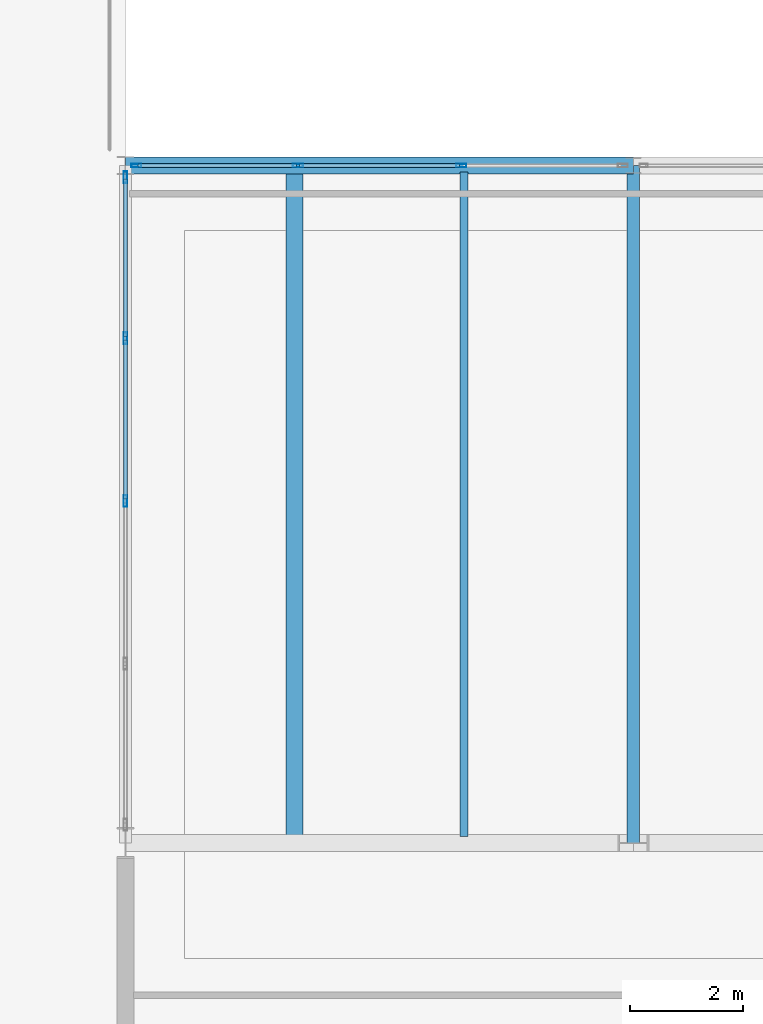
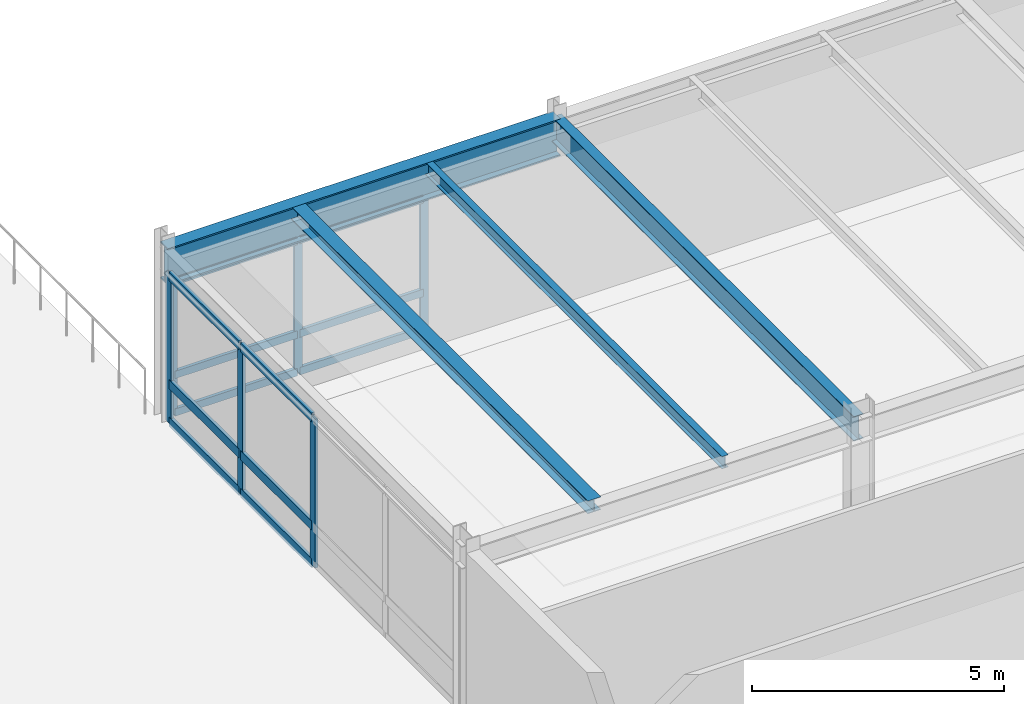
# One storey, part 22 of 127: 18 members, 4 beams, 2 elements without a shape of their own.
"""IFC4 building model written with IfcOpenShell, lengths in metres."""

from ifc_helpers import new_model, si_unit, direction, frame, origin, origin_2d, place, context, subcontext, project, spatial, hollow_rectangle, i_section, extrude, material, layer, layer_set, material_profile, profile_set, type_object, element, aggregate, save


model = new_model("IFC4")

# Units and contexts
model_context = context("Model", 3, precision=1e-05, world=origin(), true_north=direction((0.0, 1.0)))
body_context = subcontext(model_context, "Body", "Model", "MODEL_VIEW")
ifc_project = project(units=[si_unit("LENGTHUNIT", "METRE"), si_unit("AREAUNIT", "SQUARE_METRE"), si_unit("VOLUMEUNIT", "CUBIC_METRE"), si_unit("PLANEANGLEUNIT", "RADIAN"), si_unit("MASSUNIT", "GRAM", prefix="KILO")], contexts=[model_context])

# Site, building, storey
site_placement = place(None, origin())
site = spatial("IfcSite", under=ifc_project, at=site_placement, CompositionType="ELEMENT")
building_placement = place(site_placement, origin())
building = spatial("IfcBuilding", under=site, at=building_placement, Name="Montelvaro Courts of Justice", CompositionType="ELEMENT")
storey_placement = place(building_placement, frame((0.0, 0.0, 5.39990234375)))
storey = spatial("IfcBuildingStorey", under=building, at=storey_placement, Name="L01", CompositionType="ELEMENT", Elevation=5.39990234375)

# Beams
ifc_material_1 = material(Name="Steel S355", Category="steel")
ifc_material_profile_1 = material_profile(ifc_material_1, i_section(OverallWidth=0.300048828125, OverallDepth=0.31005859375, WebThickness=0.009033203125, FlangeThickness=0.015380859375, at=origin_2d()), Name="HEA 320")
ifc_profile_set_1 = profile_set([ifc_material_profile_1], Name="Steel S355")
beam_type_1 = type_object("IfcBeamType", Name="Beam_HEA320", PredefinedType="BEAM", material=ifc_profile_set_1)
beam_1_placement = place(storey_placement, frame((21.0, 42.110107421875, 4.005126953125), z_axis=(0.0, 1.0, 0.0), x_axis=(-1.0, 0.0, 0.0)))
element("IfcBeam", 1, at=beam_1_placement, inside=storey, type_object=beam_type_1, Name="Beam B-15 L01", PredefinedType="BEAM", context=body_context, shape_type="SweptSolid", body=[
    extrude(i_section(OverallWidth=0.300048828125, OverallDepth=0.31005859375, WebThickness=0.009033203125, FlangeThickness=0.015380859375, at=origin_2d()), origin(), (0.0, 0.0, 1.0), 11.77978515625),
])
ifc_material_profile_2 = material_profile(ifc_material_1, i_section(OverallWidth=0.300048828125, OverallDepth=0.89990234375, WebThickness=0.0185546875, FlangeThickness=0.034912109375, at=origin_2d()), Name="HEB 900")
ifc_profile_set_2 = profile_set([ifc_material_profile_2], Name="Steel S355")
beam_type_2 = type_object("IfcBeamType", Name="Beam_HEB900", PredefinedType="USERDEFINED", material=ifc_profile_set_2)
beam_2_placement = place(storey_placement, frame((18.0, 54.0, 3.710205078125), z_axis=(1.0, 0.0, 0.0), x_axis=(0.0, 1.0, 0.0)))
element("IfcBeam", 2, at=beam_2_placement, inside=storey, type_object=beam_type_2, Name="Beam B-30 L01", ObjectType="GIRDER", PredefinedType="USERDEFINED", context=body_context, shape_type="SweptSolid", body=[
    extrude(i_section(OverallWidth=0.300048828125, OverallDepth=0.89990234375, WebThickness=0.0185546875, FlangeThickness=0.034912109375, at=origin_2d()), origin(), (0.0, 0.0, 1.0), 9.0),
])
ifc_material_profile_3 = material_profile(ifc_material_1, i_section(OverallWidth=0.14990234375, OverallDepth=0.300048828125, WebThickness=0.007080078125, FlangeThickness=0.0107421875, at=origin_2d()), Name="IPE 300")
ifc_profile_set_3 = profile_set([ifc_material_profile_3], Name="Steel S355")
beam_type_3 = type_object("IfcBeamType", Name="Beam_IPE300", PredefinedType="BEAM", material=ifc_profile_set_3)
beam_3_placement = place(storey_placement, frame((24.0, 42.110107421875, 4.010009765625), z_axis=(0.0, 1.0, 0.0), x_axis=(-1.0, 0.0, 0.0)))
element("IfcBeam", 3, at=beam_3_placement, inside=storey, type_object=beam_type_3, Name="Beam B-05 L01", PredefinedType="BEAM", context=body_context, shape_type="SweptSolid", body=[
    extrude(i_section(OverallWidth=0.14990234375, OverallDepth=0.300048828125, WebThickness=0.007080078125, FlangeThickness=0.0107421875, at=origin_2d()), origin(), (0.0, 0.0, 1.0), 11.77978515625),
])
ifc_material_profile_4 = material_profile(ifc_material_1, i_section(OverallWidth=0.219970703125, OverallDepth=0.60009765625, WebThickness=0.011962890625, FlangeThickness=0.01904296875, at=origin_2d()), Name="IPE 600")
ifc_profile_set_4 = profile_set([ifc_material_profile_4], Name="Steel S355")
beam_type_4 = type_object("IfcBeamType", Name="Beam_IPE600", PredefinedType="USERDEFINED", material=ifc_profile_set_4)
beam_4_placement = place(storey_placement, frame((27.0, 42.0, 3.860107421875), z_axis=(0.0, 1.0, 0.0), x_axis=(-1.0, 0.0, 0.0)))
element("IfcBeam", 4, at=beam_4_placement, inside=storey, type_object=beam_type_4, Name="Beam B-12 L01", ObjectType="GIRDER", PredefinedType="USERDEFINED", context=body_context, shape_type="SweptSolid", body=[
    extrude(i_section(OverallWidth=0.219970703125, OverallDepth=0.60009765625, WebThickness=0.011962890625, FlangeThickness=0.01904296875, at=origin_2d()), origin(), (0.0, 0.0, 1.0), 12.0),
])

# Curtain wall, members
ifc_material_2 = material(Name="Anodised aluminium EN AW-6063", Category="aluminium")
ifc_layer_1 = layer(ifc_material_2, 0.159912109375)
ifc_layer_set_1 = layer_set([ifc_layer_1], Name="Anodised aluminium EN AW-6063")
curtain_wall_type_1 = type_object("IfcCurtainWallType", Name="CurtainWall_18_868x418", PredefinedType="USERDEFINED", material=ifc_layer_set_1)
curtain_wall_1_placement = place(storey_placement, origin())
curtain_wall_1 = element("IfcCurtainWall", 5, at=curtain_wall_1_placement, inside=storey, type_object=curtain_wall_type_1, Name="Curtain Wall CW-18 (L01)", ObjectType="CURTAIN WALL", PredefinedType="USERDEFINED")
ifc_material_profile_5 = material_profile(ifc_material_2, hollow_rectangle(XDim=0.06005859375, YDim=0.179931640625, WallThickness=0.00439453125, at=origin_2d()), Name="ALU-M 60x180")
ifc_profile_set_5 = profile_set([ifc_material_profile_5], Name="Anodised aluminium EN AW-6063")
member_type_1 = type_object("IfcMemberType", Name="CurtainWall_Mullion_60x180", PredefinedType="MULLION", material=ifc_profile_set_5)
member_1_placement = place(storey_placement, frame((23.95166015625, 54.0, 0.0), z_axis=(0.0, 0.0, 1.0), x_axis=(0.0, -1.0, 0.0)))
member_1 = element("IfcMember", 6, at=member_1_placement, type_object=member_type_1, Name="CW-18 mullion 2", PredefinedType="MULLION", context=body_context, shape_type="SweptSolid", body=[
    extrude(hollow_rectangle(XDim=0.06005859375, YDim=0.179931640625, WallThickness=0.00439453125, at=origin_2d()), origin(), (0.0, 0.0, 1.0), 3.255126953125),
])
member_2_placement = place(storey_placement, frame((21.058349609375, 54.0, 0.0), z_axis=(0.0, 0.0, 1.0), x_axis=(0.0, -1.0, 0.0)))
member_2 = element("IfcMember", 7, at=member_2_placement, type_object=member_type_1, Name="CW-18 mullion 3", PredefinedType="MULLION", context=body_context, shape_type="SweptSolid", body=[
    extrude(hollow_rectangle(XDim=0.06005859375, YDim=0.179931640625, WallThickness=0.00439453125, at=origin_2d()), origin(), (0.0, 0.0, 1.0), 3.255126953125),
])
member_3_placement = place(storey_placement, frame((18.195068359375, 54.0, 0.0), z_axis=(0.0, 0.0, 1.0), x_axis=(0.0, -1.0, 0.0)))
member_3 = element("IfcMember", 8, at=member_3_placement, type_object=member_type_1, Name="CW-18 mullion 4", PredefinedType="MULLION", context=body_context, shape_type="SweptSolid", body=[
    extrude(hollow_rectangle(XDim=0.06005859375, YDim=0.179931640625, WallThickness=0.00439453125, at=origin_2d()), origin(), (0.0, 0.0, 1.0), 3.255126953125),
])

ifc_layer_2 = layer(ifc_material_2, 0.159912109375)
ifc_layer_set_2 = layer_set([ifc_layer_2], Name="Anodised aluminium EN AW-6063")
curtain_wall_type_2 = type_object("IfcCurtainWallType", Name="CurtainWall_23_1154x418", PredefinedType="USERDEFINED", material=ifc_layer_set_2)
curtain_wall_2_placement = place(storey_placement, origin())
curtain_wall_2 = element("IfcCurtainWall", 9, at=curtain_wall_2_placement, inside=storey, type_object=curtain_wall_type_2, Name="Curtain Wall CW-23 (L01)", ObjectType="CURTAIN WALL", PredefinedType="USERDEFINED")
ifc_material_profile_6 = material_profile(ifc_material_2, hollow_rectangle(XDim=0.06494140625, YDim=0.2099609375, WallThickness=0.0048828125, at=origin_2d()), Name="ALU-M 65x210")
ifc_profile_set_6 = profile_set([ifc_material_profile_6], Name="Anodised aluminium EN AW-6063")
member_type_2 = type_object("IfcMemberType", Name="CurtainWall_Mullion_65x210", PredefinedType="MULLION", material=ifc_profile_set_6)
member_4_placement = place(storey_placement, frame((18.0, 53.79248046875, 0.0), z_axis=(0.0, 0.0, 1.0), x_axis=(1.0, 0.0, 0.0)))
member_4 = element("IfcMember", 10, at=member_4_placement, type_object=member_type_2, Name="CW-23 mullion 1", PredefinedType="MULLION", context=body_context, shape_type="SweptSolid", body=[
    extrude(hollow_rectangle(XDim=0.06494140625, YDim=0.2099609375, WallThickness=0.0048828125, at=origin_2d()), origin(), (0.0, 0.0, 1.0), 3.60498046875),
])
member_5_placement = place(storey_placement, frame((18.0, 50.941162109375, 0.0), z_axis=(0.0, 0.0, 1.0), x_axis=(1.0, 0.0, 0.0)))
member_5 = element("IfcMember", 11, at=member_5_placement, type_object=member_type_2, Name="CW-23 mullion 2", PredefinedType="MULLION", context=body_context, shape_type="SweptSolid", body=[
    extrude(hollow_rectangle(XDim=0.06494140625, YDim=0.2099609375, WallThickness=0.0048828125, at=origin_2d()), origin(), (0.0, 0.0, 1.0), 3.60498046875),
])
member_6_placement = place(storey_placement, frame((18.0, 48.0576171875, 0.0), z_axis=(0.0, 0.0, 1.0), x_axis=(1.0, 0.0, 0.0)))
member_6 = element("IfcMember", 12, at=member_6_placement, type_object=member_type_2, Name="CW-23 mullion 3", PredefinedType="MULLION", context=body_context, shape_type="SweptSolid", body=[
    extrude(hollow_rectangle(XDim=0.06494140625, YDim=0.2099609375, WallThickness=0.0048828125, at=origin_2d()), origin(), (0.0, 0.0, 1.0), 3.60498046875),
])

# Member
ifc_material_profile_7 = material_profile(ifc_material_2, hollow_rectangle(XDim=0.074951171875, YDim=0.179931640625, WallThickness=0.0048828125, at=origin_2d()), Name="ALU-T 75x180")
ifc_profile_set_7 = profile_set([ifc_material_profile_7], Name="Anodised aluminium EN AW-6063")
member_type_3 = type_object("IfcMemberType", Name="CurtainWall_Transom_75x180", PredefinedType="USERDEFINED", material=ifc_profile_set_7)
member_7_placement = place(storey_placement, frame((23.921630859375, 54.0, 0.03759765625), z_axis=(-1.0, 0.0, 0.0), x_axis=(0.0, -1.0, 0.0)))
member_7 = element("IfcMember", 13, at=member_7_placement, type_object=member_type_3, Name="CW-18 transom 2.1", ObjectType="TRANSOM", PredefinedType="USERDEFINED", context=body_context, shape_type="SweptSolid", body=[
    extrude(hollow_rectangle(XDim=0.074951171875, YDim=0.179931640625, WallThickness=0.0048828125, at=origin_2d()), origin(), (0.0, 0.0, 1.0), 2.833251953125),
])

member_8_placement = place(storey_placement, frame((23.921630859375, 54.0, 0.9501953125), z_axis=(-1.0, 0.0, 0.0), x_axis=(0.0, -1.0, 0.0)))
member_8 = element("IfcMember", 14, at=member_8_placement, type_object=member_type_3, Name="CW-18 transom 2.2", ObjectType="TRANSOM", PredefinedType="USERDEFINED", context=body_context, shape_type="SweptSolid", body=[
    extrude(hollow_rectangle(XDim=0.074951171875, YDim=0.179931640625, WallThickness=0.0048828125, at=origin_2d()), origin(), (0.0, 0.0, 1.0), 2.833251953125),
])

member_9_placement = place(storey_placement, frame((23.921630859375, 54.0, 3.217529296875), z_axis=(-1.0, 0.0, 0.0), x_axis=(0.0, -1.0, 0.0)))
member_9 = element("IfcMember", 15, at=member_9_placement, type_object=member_type_3, Name="CW-18 transom 2.3", ObjectType="TRANSOM", PredefinedType="USERDEFINED", context=body_context, shape_type="SweptSolid", body=[
    extrude(hollow_rectangle(XDim=0.074951171875, YDim=0.179931640625, WallThickness=0.0048828125, at=origin_2d()), origin(), (0.0, 0.0, 1.0), 2.833251953125),
])

member_10_placement = place(storey_placement, frame((21.0283203125, 54.0, 0.03759765625), z_axis=(-1.0, 0.0, 0.0), x_axis=(0.0, -1.0, 0.0)))
member_10 = element("IfcMember", 16, at=member_10_placement, type_object=member_type_3, Name="CW-18 transom 3.1", ObjectType="TRANSOM", PredefinedType="USERDEFINED", context=body_context, shape_type="SweptSolid", body=[
    extrude(hollow_rectangle(XDim=0.074951171875, YDim=0.179931640625, WallThickness=0.0048828125, at=origin_2d()), origin(), (0.0, 0.0, 1.0), 2.80322265625),
])

member_11_placement = place(storey_placement, frame((21.0283203125, 54.0, 0.9501953125), z_axis=(-1.0, 0.0, 0.0), x_axis=(0.0, -1.0, 0.0)))
member_11 = element("IfcMember", 17, at=member_11_placement, type_object=member_type_3, Name="CW-18 transom 3.2", ObjectType="TRANSOM", PredefinedType="USERDEFINED", context=body_context, shape_type="SweptSolid", body=[
    extrude(hollow_rectangle(XDim=0.074951171875, YDim=0.179931640625, WallThickness=0.0048828125, at=origin_2d()), origin(), (0.0, 0.0, 1.0), 2.80322265625),
])

member_12_placement = place(storey_placement, frame((21.0283203125, 54.0, 3.217529296875), z_axis=(-1.0, 0.0, 0.0), x_axis=(0.0, -1.0, 0.0)))
member_12 = element("IfcMember", 18, at=member_12_placement, type_object=member_type_3, Name="CW-18 transom 3.3", ObjectType="TRANSOM", PredefinedType="USERDEFINED", context=body_context, shape_type="SweptSolid", body=[
    extrude(hollow_rectangle(XDim=0.074951171875, YDim=0.179931640625, WallThickness=0.0048828125, at=origin_2d()), origin(), (0.0, 0.0, 1.0), 2.80322265625),
])

aggregate(curtain_wall_1, [member_1, member_2, member_3, member_7, member_8, member_9, member_10, member_11, member_12])

ifc_material_profile_8 = material_profile(ifc_material_2, hollow_rectangle(XDim=0.074951171875, YDim=0.219970703125, WallThickness=0.005615234375, at=origin_2d()), Name="ALU-T 75x220")
ifc_profile_set_8 = profile_set([ifc_material_profile_8], Name="Anodised aluminium EN AW-6063")
member_type_4 = type_object("IfcMemberType", Name="CurtainWall_Transom_75x220", PredefinedType="USERDEFINED", material=ifc_profile_set_8)
member_13_placement = place(storey_placement, frame((18.0, 53.760009765625, 0.03759765625), z_axis=(0.0, -1.0, 0.0), x_axis=(1.0, 0.0, 0.0)))
member_13 = element("IfcMember", 19, at=member_13_placement, type_object=member_type_4, Name="CW-23 transom 1.1", ObjectType="TRANSOM", PredefinedType="USERDEFINED", context=body_context, shape_type="SweptSolid", body=[
    extrude(hollow_rectangle(XDim=0.074951171875, YDim=0.219970703125, WallThickness=0.005615234375, at=origin_2d()), origin(), (0.0, 0.0, 1.0), 2.786376953125),
])

member_14_placement = place(storey_placement, frame((18.0, 53.760009765625, 0.9501953125), z_axis=(0.0, -1.0, 0.0), x_axis=(1.0, 0.0, 0.0)))
member_14 = element("IfcMember", 20, at=member_14_placement, type_object=member_type_4, Name="CW-23 transom 1.2", ObjectType="TRANSOM", PredefinedType="USERDEFINED", context=body_context, shape_type="SweptSolid", body=[
    extrude(hollow_rectangle(XDim=0.074951171875, YDim=0.219970703125, WallThickness=0.005615234375, at=origin_2d()), origin(), (0.0, 0.0, 1.0), 2.786376953125),
])

member_15_placement = place(storey_placement, frame((18.0, 53.760009765625, 3.567626953125), z_axis=(0.0, -1.0, 0.0), x_axis=(1.0, 0.0, 0.0)))
member_15 = element("IfcMember", 21, at=member_15_placement, type_object=member_type_4, Name="CW-23 transom 1.3", ObjectType="TRANSOM", PredefinedType="USERDEFINED", context=body_context, shape_type="SweptSolid", body=[
    extrude(hollow_rectangle(XDim=0.074951171875, YDim=0.219970703125, WallThickness=0.005615234375, at=origin_2d()), origin(), (0.0, 0.0, 1.0), 2.786376953125),
])

member_16_placement = place(storey_placement, frame((18.0, 50.90869140625, 0.03759765625), z_axis=(0.0, -1.0, 0.0), x_axis=(1.0, 0.0, 0.0)))
member_16 = element("IfcMember", 22, at=member_16_placement, type_object=member_type_4, Name="CW-23 transom 2.1", ObjectType="TRANSOM", PredefinedType="USERDEFINED", context=body_context, shape_type="SweptSolid", body=[
    extrude(hollow_rectangle(XDim=0.074951171875, YDim=0.219970703125, WallThickness=0.005615234375, at=origin_2d()), origin(), (0.0, 0.0, 1.0), 2.818603515625),
])

member_17_placement = place(storey_placement, frame((18.0, 50.90869140625, 0.9501953125), z_axis=(0.0, -1.0, 0.0), x_axis=(1.0, 0.0, 0.0)))
member_17 = element("IfcMember", 23, at=member_17_placement, type_object=member_type_4, Name="CW-23 transom 2.2", ObjectType="TRANSOM", PredefinedType="USERDEFINED", context=body_context, shape_type="SweptSolid", body=[
    extrude(hollow_rectangle(XDim=0.074951171875, YDim=0.219970703125, WallThickness=0.005615234375, at=origin_2d()), origin(), (0.0, 0.0, 1.0), 2.818603515625),
])

member_18_placement = place(storey_placement, frame((18.0, 50.90869140625, 3.567626953125), z_axis=(0.0, -1.0, 0.0), x_axis=(1.0, 0.0, 0.0)))
member_18 = element("IfcMember", 24, at=member_18_placement, type_object=member_type_4, Name="CW-23 transom 2.3", ObjectType="TRANSOM", PredefinedType="USERDEFINED", context=body_context, shape_type="SweptSolid", body=[
    extrude(hollow_rectangle(XDim=0.074951171875, YDim=0.219970703125, WallThickness=0.005615234375, at=origin_2d()), origin(), (0.0, 0.0, 1.0), 2.818603515625),
])

aggregate(curtain_wall_2, [member_4, member_5, member_6, member_13, member_14, member_15, member_16, member_17, member_18])

save(model, "model.ifc")
